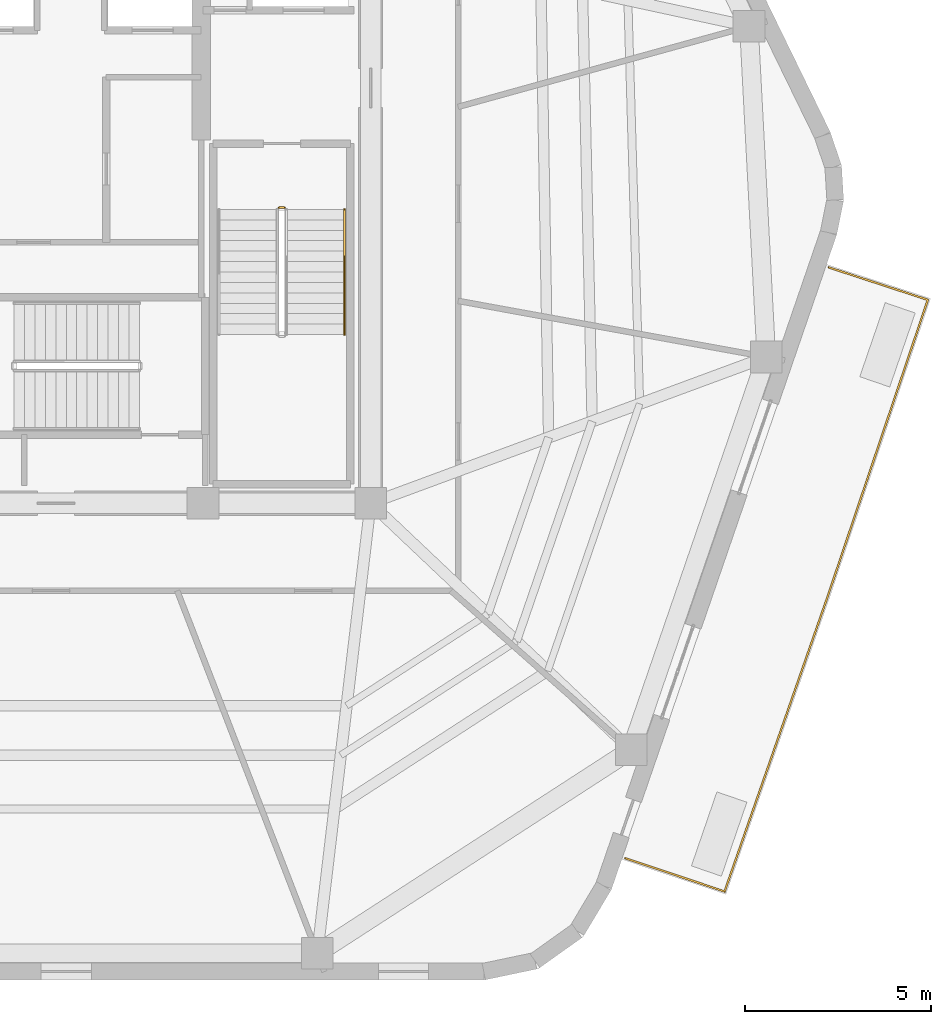
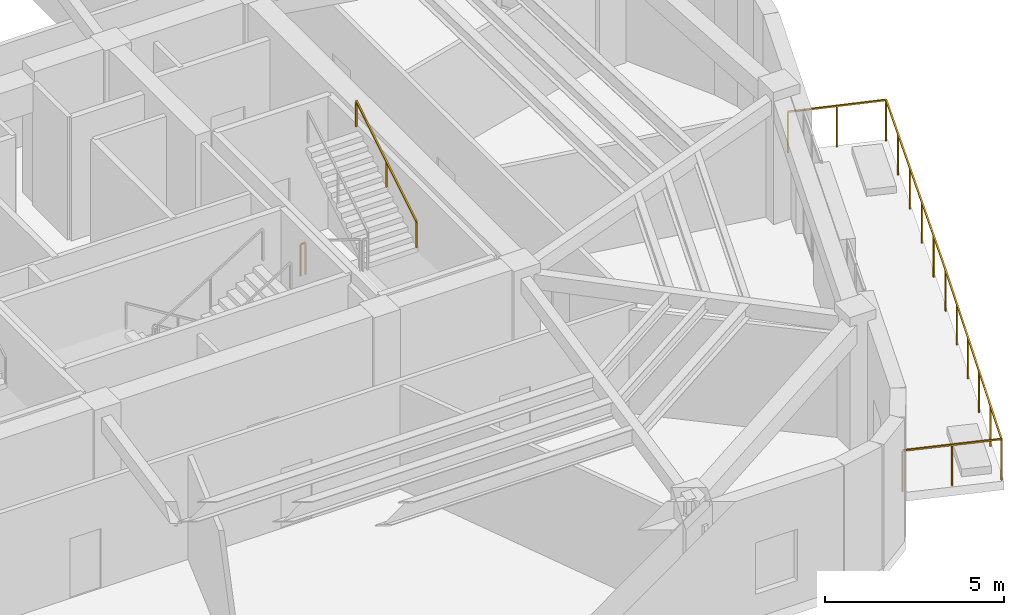
# One storey, part 15 of 15: 3 railings.
"""IFC4 building model written with IfcOpenShell, lengths in metres."""

from ifc_helpers import new_model, si_unit, direction, frame, origin, origin_2d, place, context, subcontext, project, spatial, rectangle, extrude, material, layer, layer_set, type_object, element, save


model = new_model("IFC4")

# Units and contexts
model_context = context("Model", 3, precision=1e-05, world=origin(), true_north=direction((0.0, 1.0)))
body_context = subcontext(model_context, "Body", "Model", "MODEL_VIEW")
ifc_project = project(units=[si_unit("LENGTHUNIT", "METRE"), si_unit("AREAUNIT", "SQUARE_METRE"), si_unit("VOLUMEUNIT", "CUBIC_METRE"), si_unit("PLANEANGLEUNIT", "RADIAN"), si_unit("MASSUNIT", "GRAM", prefix="KILO")], contexts=[model_context])

# Site, building, storey
site_placement = place(None, origin())
site = spatial("IfcSite", under=ifc_project, at=site_placement, CompositionType="ELEMENT")
building_placement = place(site_placement, origin())
building = spatial("IfcBuilding", under=site, at=building_placement, Name="Kilnhurst Terrace Hotel", CompositionType="ELEMENT")
storey_placement = place(building_placement, frame((0.0, 0.0, 293.10009765625)))
storey = spatial("IfcBuildingStorey", under=building, at=storey_placement, Name="L73", CompositionType="ELEMENT", Elevation=293.10009765625)

# Railings
ifc_material_1 = material(Name="Laminated SentryGlas and Stainless Steel AISI 316L Balustrade", Category="steel")
ifc_layer_1 = layer(ifc_material_1, 0.070068359375, Name="Laminated SentryGlas and Stainless Steel AISI 316L Balustrade")
ifc_layer_set_1 = layer_set([ifc_layer_1], Name="Laminated SentryGlas and Stainless Steel AISI 316L Balustrade")
railing_type_1 = type_object("IfcRailingType", Name="RLG-BAL-1420", PredefinedType="BALUSTRADE", material=ifc_layer_set_1)
railing_1_placement = place(storey_placement, frame((21.298828125, -1.166748046875, 0.0)))
element("IfcRailing", 1, at=railing_1_placement, inside=storey, type_object=railing_type_1, Name="L73 Exterior Terrace Guardrail BAL-L1A.1", PredefinedType="BALUSTRADE", context=body_context, shape_type="SweptSolid", body=[
    extrude(rectangle(XDim=0.048095703125, YDim=0.048095703125, at=origin_2d()), frame((0.0, 0.0, 1.39599609375), z_axis=(0.950394786916, -0.311046216827, 0.0), x_axis=(0.311046216827, 0.950394786916, 0.0)), (0.0, 0.0, 1.0), 2.80126953125),
    extrude(rectangle(XDim=0.048095703125, YDim=0.048095703125, at=origin_2d()), frame((2.662353515625, -0.871337890625, 1.39599609375), z_axis=(-0.319895813217, -0.94745272636, 0.0), x_axis=(0.94745272636, -0.319895813217, 0.0)), (0.0, 0.0, 1.0), 8.44091796875),
    extrude(rectangle(XDim=0.048095703125, YDim=0.048095703125, at=origin_2d()), frame((-0.037841796875, -8.86865234375, 1.39599609375), z_axis=(-0.329893619994, -0.944018113962, 0.0), x_axis=(0.944018113962, -0.329893619994, 0.0)), (0.0, 0.0, 1.0), 8.356689453125),
    extrude(rectangle(XDim=0.048095703125, YDim=0.048095703125, at=origin_2d()), frame((-2.794677734375, -16.757568359375, 1.39599609375), z_axis=(-0.948082201611, 0.318025374757, 0.0), x_axis=(-0.318025374757, -0.948082201611, 0.0)), (0.0, 0.0, 1.0), 2.810546875),
    extrude(rectangle(XDim=0.0419921875, YDim=0.0419921875, at=origin_2d()), origin(), (0.0, 0.0, 1.0), 1.371826171875),
    extrude(rectangle(XDim=0.0419921875, YDim=0.0419921875, at=origin_2d()), frame((1.3310546875, -0.435546875, 0.0)), (0.0, 0.0, 1.0), 1.371826171875),
    extrude(rectangle(XDim=0.0419921875, YDim=0.0419921875, at=origin_2d()), frame((2.662353515625, -0.871337890625, 0.0)), (0.0, 0.0, 1.0), 1.371826171875),
    extrude(rectangle(XDim=0.0419921875, YDim=0.0419921875, at=origin_2d()), frame((2.122314453125, -2.470703125, 0.0)), (0.0, 0.0, 1.0), 1.371826171875),
    extrude(rectangle(XDim=0.0419921875, YDim=0.0419921875, at=origin_2d()), frame((1.582275390625, -4.0703125, 0.0)), (0.0, 0.0, 1.0), 1.371826171875),
    extrude(rectangle(XDim=0.0419921875, YDim=0.0419921875, at=origin_2d()), frame((1.042236328125, -5.669677734375, 0.0)), (0.0, 0.0, 1.0), 1.371826171875),
    extrude(rectangle(XDim=0.0419921875, YDim=0.0419921875, at=origin_2d()), frame((0.502197265625, -7.269287109375, 0.0)), (0.0, 0.0, 1.0), 1.371826171875),
    extrude(rectangle(XDim=0.0419921875, YDim=0.0419921875, at=origin_2d()), frame((-0.037841796875, -8.86865234375, 0.0)), (0.0, 0.0, 1.0), 1.371826171875),
    extrude(rectangle(XDim=0.0419921875, YDim=0.0419921875, at=origin_2d()), frame((-0.589111328125, -10.446533203125, 0.0)), (0.0, 0.0, 1.0), 1.371826171875),
    extrude(rectangle(XDim=0.0419921875, YDim=0.0419921875, at=origin_2d()), frame((-1.140625, -12.024169921875, 0.0)), (0.0, 0.0, 1.0), 1.371826171875),
    extrude(rectangle(XDim=0.0419921875, YDim=0.0419921875, at=origin_2d()), frame((-1.69189453125, -13.60205078125, 0.0)), (0.0, 0.0, 1.0), 1.371826171875),
    extrude(rectangle(XDim=0.0419921875, YDim=0.0419921875, at=origin_2d()), frame((-2.243408203125, -15.1796875, 0.0)), (0.0, 0.0, 1.0), 1.371826171875),
    extrude(rectangle(XDim=0.0419921875, YDim=0.0419921875, at=origin_2d()), frame((-2.794677734375, -16.757568359375, 0.0)), (0.0, 0.0, 1.0), 1.371826171875),
    extrude(rectangle(XDim=0.0419921875, YDim=0.0419921875, at=origin_2d()), frame((-4.126953125, -16.310546875, 0.0)), (0.0, 0.0, 1.0), 1.371826171875),
    extrude(rectangle(XDim=0.0419921875, YDim=0.0419921875, at=origin_2d()), frame((-5.459228515625, -15.86376953125, 0.0)), (0.0, 0.0, 1.0), 1.371826171875),
])
ifc_material_2 = material(Name="Powder-Coated Steel ASTM A500 Grade B", Category="steel")
ifc_layer_2 = layer(ifc_material_2, 0.050048828125, Name="Powder-Coated Steel ASTM A500 Grade B")
ifc_layer_set_2 = layer_set([ifc_layer_2], Name="Powder-Coated Steel ASTM A500 Grade B")
railing_type_2 = type_object("IfcRailingType", Name="RLG-ST-GRD-1100", PredefinedType="GUARDRAIL", material=ifc_layer_set_2)
railing_2_placement = place(storey_placement, frame((6.5400390625, 0.43994140625, 0.0)))
element("IfcRailing", 2, at=railing_2_placement, inside=storey, type_object=railing_type_2, Name="L73 ST-2 stair guard 4", PredefinedType="GUARDRAIL", context=body_context, shape_type="SweptSolid", body=[
    extrude(rectangle(XDim=0.048095703125, YDim=0.048095703125, at=origin_2d()), frame((0.0, 0.0, 1.076171875), z_axis=(1.0, 0.0, 0.0), x_axis=(0.0, 1.0, 0.0)), (0.0, 0.0, 1.0), 0.14990234375),
    extrude(rectangle(XDim=0.0419921875, YDim=0.0419921875, at=origin_2d()), origin(), (0.0, 0.0, 1.0), 1.052001953125),
    extrude(rectangle(XDim=0.0419921875, YDim=0.0419921875, at=origin_2d()), frame((0.14990234375, 0.0, 0.0)), (0.0, 0.0, 1.0), 1.052001953125),
])
ifc_material_3 = material(Name="Brushed Stainless Steel AISI 304", Category="steel")
ifc_layer_3 = layer(ifc_material_3, 0.048095703125, Name="Brushed Stainless Steel AISI 304")
ifc_layer_set_3 = layer_set([ifc_layer_3], Name="Brushed Stainless Steel AISI 304")
railing_type_3 = type_object("IfcRailingType", Name="RLG-ST-HRL-900", PredefinedType="HANDRAIL", material=ifc_layer_set_3)
railing_3_placement = place(storey_placement, frame((8.300048828125, -2.969970703125, 2.423095703125)))
element("IfcRailing", 3, at=railing_3_placement, inside=storey, type_object=railing_type_3, Name="L73 ST-2 stair handrail 2", PredefinedType="HANDRAIL", context=body_context, shape_type="SweptSolid", body=[
    extrude(rectangle(XDim=0.048095703125, YDim=0.048095703125, at=origin_2d()), frame((0.0, 0.0, 0.8759765625), z_axis=(0.0, 0.850606129759, 0.525803396734), x_axis=(-1.0, 0.0, 0.0)), (0.0, 0.0, 1.0), 3.949951171875),
    extrude(rectangle(XDim=0.0419921875, YDim=0.0419921875, at=origin_2d()), origin(), (0.0, 0.0, 1.0), 0.851806640625),
    extrude(rectangle(XDim=0.0419921875, YDim=0.0419921875, at=origin_2d()), frame((0.0, 1.679931640625, 1.03857421875)), (0.0, 0.0, 1.0), 0.851806640625),
    extrude(rectangle(XDim=0.0419921875, YDim=0.0419921875, at=origin_2d()), frame((0.0, 3.35986328125, 2.076904296875)), (0.0, 0.0, 1.0), 0.851806640625),
])

save(model, "model.ifc")
